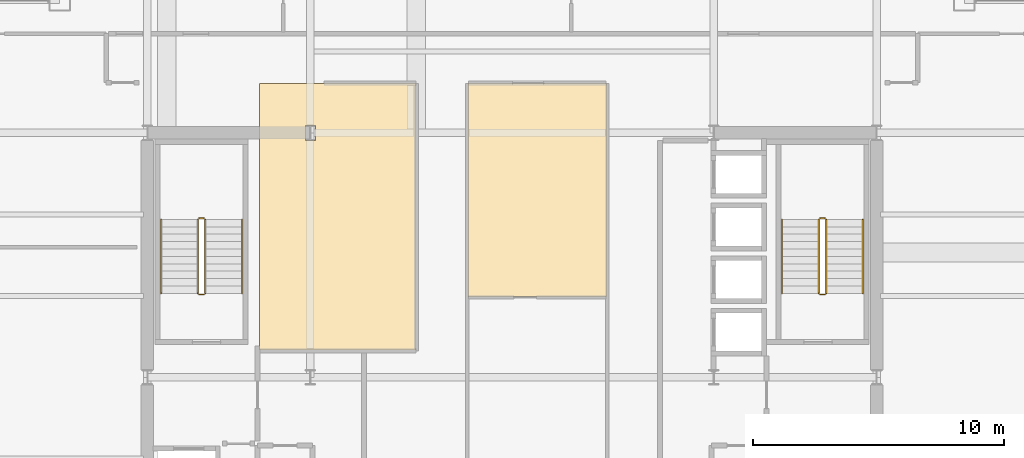
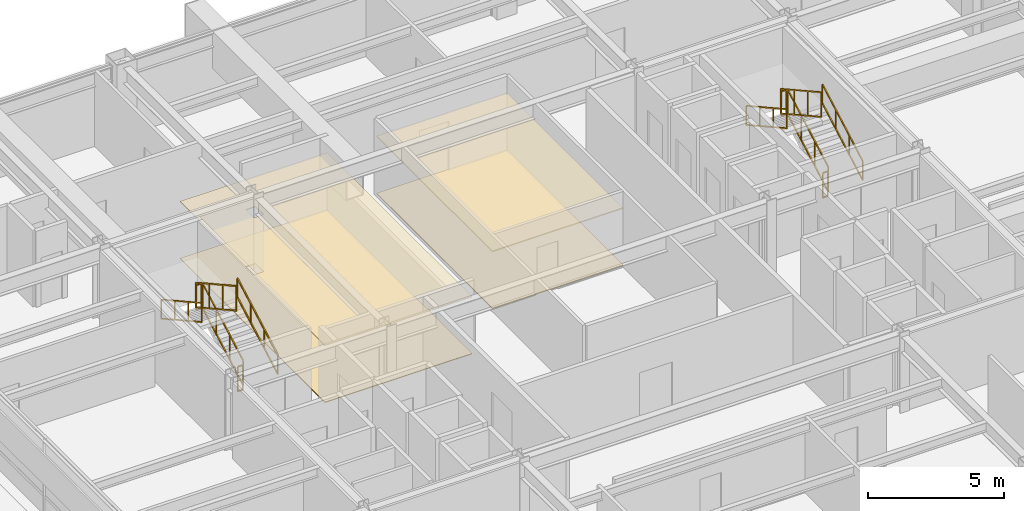
# One storey, part 34 of 34: 12 railings, 4 coverings.
"""IFC4 building model written with IfcOpenShell, lengths in metres."""

from ifc_helpers import new_model, si_unit, direction, frame, origin, origin_2d, place, context, subcontext, project, spatial, polyline, rectangle, outline, extrude, material, layer, layer_set, type_object, element, save


model = new_model("IFC4")

# Units and contexts
model_context = context("Model", 3, precision=1e-05, world=origin(), true_north=direction((0.0, 1.0)))
body_context = subcontext(model_context, "Body", "Model", "MODEL_VIEW")
ifc_project = project(units=[si_unit("LENGTHUNIT", "METRE"), si_unit("AREAUNIT", "SQUARE_METRE"), si_unit("VOLUMEUNIT", "CUBIC_METRE"), si_unit("PLANEANGLEUNIT", "RADIAN"), si_unit("MASSUNIT", "GRAM", prefix="KILO")], contexts=[model_context])

# Site, building, storey
site_placement = place(None, origin())
site = spatial("IfcSite", under=ifc_project, at=site_placement, CompositionType="ELEMENT")
building_placement = place(site_placement, origin())
building = spatial("IfcBuilding", under=site, at=building_placement, Name="Brelmoor Portico Tower", CompositionType="ELEMENT")
storey_placement = place(building_placement, frame((0.0, 0.0, 117.0)))
storey = spatial("IfcBuildingStorey", under=building, at=storey_placement, Name="L30", CompositionType="ELEMENT", Elevation=117.0)

# Coverings
ifc_material_1 = material(Name="Powder-Coated Aluminium Acoustic Baffle Ceiling", Category="aluminium")
ifc_layer_1 = layer(ifc_material_1, 0.044921875)
ifc_layer_set_1 = layer_set([ifc_layer_1], Name="Powder-Coated Aluminium Acoustic Baffle Ceiling")
covering_type_1 = type_object("IfcCoveringType", Name="CV-CEIL-BAFFLE-45", PredefinedType="CEILING", material=ifc_layer_set_1)
covering_1_placement = place(storey_placement, frame((0.0, 0.0, 2.550048828125)))
element("IfcCovering", 1, at=covering_1_placement, inside=storey, type_object=covering_type_1, Name="L30 Acoustic Suspended Ceiling 02", PredefinedType="CEILING", context=body_context, shape_type="SweptSolid", body=[
    extrude(outline(polyline([(-1.760009765625, 3.219970703125), (-1.760009765625, 11.719970703125), (3.780029296875, 11.719970703125), (3.780029296875, 3.219970703125), (-1.760009765625, 3.219970703125)])), origin(), (0.0, 0.0, 1.0), 0.044921875),
])
ifc_material_2 = material(Name="Micro-Perforated Aluminium Clip-In Ceiling", Category="aluminium")
ifc_layer_2 = layer(ifc_material_2, 0.031982421875)
ifc_layer_set_2 = layer_set([ifc_layer_2], Name="Micro-Perforated Aluminium Clip-In Ceiling")
covering_type_2 = type_object("IfcCoveringType", Name="CV-CEIL-METAL-32", PredefinedType="CEILING", material=ifc_layer_set_2)
covering_2_placement = place(storey_placement, frame((0.0, 0.0, 2.550048828125)))
element("IfcCovering", 2, at=covering_2_placement, inside=storey, type_object=covering_type_2, Name="L30 Acoustic Suspended Ceiling 01", PredefinedType="CEILING", context=body_context, shape_type="SweptSolid", body=[
    extrude(outline(polyline([(-10.080078125, 11.719970703125), (-3.840087890625, 11.719970703125), (-3.840087890625, 1.090087890625), (-10.080078125, 1.090087890625), (-10.080078125, 11.719970703125)]), holes=[polyline([(-7.85009765625, 9.449951171875), (-7.85009765625, 10.050048828125), (-8.25, 10.050048828125), (-8.25, 9.449951171875), (-7.85009765625, 9.449951171875)])]), origin(), (0.0, 0.0, 1.0), 0.031982421875),
])
ifc_material_3 = material(Name="Honed Pearl-Grey Granite Paver Finish", Category="masonry")
ifc_layer_3 = layer(ifc_material_3, 0.0380859375)
ifc_layer_set_3 = layer_set([ifc_layer_3], Name="Honed Pearl-Grey Granite Paver Finish")
covering_type_3 = type_object("IfcCoveringType", Name="CV-FLR-GRANITE-38", PredefinedType="FLOORING", material=ifc_layer_set_3)
covering_3_placement = place(storey_placement, origin())
element("IfcCovering", 3, at=covering_3_placement, inside=storey, type_object=covering_type_3, Name="L30 Architectural Floor Finish 02", PredefinedType="FLOORING", context=body_context, shape_type="SweptSolid", body=[
    extrude(outline(polyline([(-1.760009765625, 3.219970703125), (-1.760009765625, 11.719970703125), (3.780029296875, 11.719970703125), (3.780029296875, 3.219970703125), (-1.760009765625, 3.219970703125)])), origin(), (0.0, 0.0, 1.0), 0.0380859375),
])
ifc_material_4 = material(Name="Polished Pale-Aggregate Cementitious Terrazzo", Category="stone")
ifc_layer_4 = layer(ifc_material_4, 0.030029296875)
ifc_layer_set_4 = layer_set([ifc_layer_4], Name="Polished Pale-Aggregate Cementitious Terrazzo")
covering_type_4 = type_object("IfcCoveringType", Name="CV-FLR-TERRAZZO-30", PredefinedType="FLOORING", material=ifc_layer_set_4)
covering_4_placement = place(storey_placement, origin())
element("IfcCovering", 4, at=covering_4_placement, inside=storey, type_object=covering_type_4, Name="L30 Architectural Floor Finish 01", PredefinedType="FLOORING", context=body_context, shape_type="SweptSolid", body=[
    extrude(outline(polyline([(-10.080078125, 11.719970703125), (-3.840087890625, 11.719970703125), (-3.840087890625, 1.090087890625), (-10.080078125, 1.090087890625), (-10.080078125, 11.719970703125)]), holes=[polyline([(-7.85009765625, 9.449951171875), (-7.85009765625, 10.050048828125), (-8.25, 10.050048828125), (-8.25, 9.449951171875), (-7.85009765625, 9.449951171875)])]), origin(), (0.0, 0.0, 1.0), 0.030029296875),
])

# Railings
ifc_material_5 = material(Name="Painted Tubular Steel Q235B", Category="steel")
railing_type_1 = type_object("IfcRailingType", Name="RL-STAIR-GUARD", PredefinedType="GUARDRAIL", material=ifc_material_5)
railing_1_placement = place(storey_placement, frame((-12.239990234375, 3.35009765625, 0.16357421875)))
element("IfcRailing", 5, at=railing_1_placement, inside=storey, type_object=railing_type_1, Name="L30 ST-W stair guard 1", PredefinedType="GUARDRAIL", context=body_context, shape_type="SweptSolid", body=[
    extrude(rectangle(XDim=0.048095703125, YDim=0.048095703125, at=origin_2d()), frame((0.0, 0.0, 1.1259765625), z_axis=(0.0, 0.874457516365, 0.485102104791), x_axis=(-1.0, 0.0, 0.0)), (0.0, 0.0, 1.0), 3.37353515625),
    extrude(rectangle(XDim=0.048095703125, YDim=0.048095703125, at=origin_2d()), frame((0.0, 0.0, 0.02392578125), z_axis=(0.0, 0.874457516365, 0.485102104791), x_axis=(-1.0, 0.0, 0.0)), (0.0, 0.0, 1.0), 3.37353515625),
    extrude(rectangle(XDim=0.0419921875, YDim=0.0419921875, at=origin_2d()), origin(), (0.0, 0.0, 1.0), 1.101806640625),
    extrude(rectangle(XDim=0.0419921875, YDim=0.0419921875, at=origin_2d()), frame((0.0, 0.9833984375, 0.54541015625)), (0.0, 0.0, 1.0), 1.101806640625),
    extrude(rectangle(XDim=0.0419921875, YDim=0.0419921875, at=origin_2d()), frame((0.0, 1.966552734375, 1.091064453125)), (0.0, 0.0, 1.0), 1.101806640625),
    extrude(rectangle(XDim=0.0419921875, YDim=0.0419921875, at=origin_2d()), frame((0.0, 2.949951171875, 1.636474609375)), (0.0, 0.0, 1.0), 1.101806640625),
])
railing_2_placement = place(storey_placement, frame((-12.2900390625, 6.35009765625, 1.800048828125)))
element("IfcRailing", 6, at=railing_2_placement, inside=storey, type_object=railing_type_1, Name="L30 ST-W stair guard 2", PredefinedType="GUARDRAIL", context=body_context, shape_type="SweptSolid", body=[
    extrude(rectangle(XDim=0.048095703125, YDim=0.048095703125, at=origin_2d()), frame((0.0, 0.0, 1.1259765625), z_axis=(-1.0, 0.0, 0.0), x_axis=(0.0, -1.0, 0.0)), (0.0, 0.0, 1.0), 0.199951171875),
    extrude(rectangle(XDim=0.048095703125, YDim=0.048095703125, at=origin_2d()), frame((0.0, 0.0, 0.02392578125), z_axis=(-1.0, 0.0, 0.0), x_axis=(0.0, -1.0, 0.0)), (0.0, 0.0, 1.0), 0.199951171875),
    extrude(rectangle(XDim=0.0419921875, YDim=0.0419921875, at=origin_2d()), origin(), (0.0, 0.0, 1.0), 1.101806640625),
    extrude(rectangle(XDim=0.0419921875, YDim=0.0419921875, at=origin_2d()), frame((-0.199951171875, 0.0, 0.0)), (0.0, 0.0, 1.0), 1.101806640625),
])
railing_3_placement = place(storey_placement, frame((-12.5400390625, 6.300048828125, 1.963623046875)))
element("IfcRailing", 7, at=railing_3_placement, inside=storey, type_object=railing_type_1, Name="L30 ST-W stair guard 3", PredefinedType="GUARDRAIL", context=body_context, shape_type="SweptSolid", body=[
    extrude(rectangle(XDim=0.048095703125, YDim=0.048095703125, at=origin_2d()), frame((0.0, 0.0, 1.1259765625), z_axis=(0.0, -0.874457516365, 0.485102104791), x_axis=(1.0, 0.0, 0.0)), (0.0, 0.0, 1.0), 3.37353515625),
    extrude(rectangle(XDim=0.048095703125, YDim=0.048095703125, at=origin_2d()), frame((0.0, 0.0, 0.02392578125), z_axis=(0.0, -0.874457516365, 0.485102104791), x_axis=(1.0, 0.0, 0.0)), (0.0, 0.0, 1.0), 3.37353515625),
    extrude(rectangle(XDim=0.0419921875, YDim=0.0419921875, at=origin_2d()), origin(), (0.0, 0.0, 1.0), 1.101806640625),
    extrude(rectangle(XDim=0.0419921875, YDim=0.0419921875, at=origin_2d()), frame((0.0, -0.9833984375, 0.54541015625)), (0.0, 0.0, 1.0), 1.101806640625),
    extrude(rectangle(XDim=0.0419921875, YDim=0.0419921875, at=origin_2d()), frame((0.0, -1.966552734375, 1.091064453125)), (0.0, 0.0, 1.0), 1.101806640625),
    extrude(rectangle(XDim=0.0419921875, YDim=0.0419921875, at=origin_2d()), frame((0.0, -2.949951171875, 1.636474609375)), (0.0, 0.0, 1.0), 1.101806640625),
])
railing_4_placement = place(storey_placement, frame((-12.2900390625, 3.300048828125, 0.0)))
element("IfcRailing", 8, at=railing_4_placement, inside=storey, type_object=railing_type_1, Name="L30 ST-W stair guard 4", PredefinedType="GUARDRAIL", context=body_context, shape_type="SweptSolid", body=[
    extrude(rectangle(XDim=0.048095703125, YDim=0.048095703125, at=origin_2d()), frame((0.0, 0.0, 1.1259765625), z_axis=(-1.0, 0.0, 0.0), x_axis=(0.0, -1.0, 0.0)), (0.0, 0.0, 1.0), 0.199951171875),
    extrude(rectangle(XDim=0.048095703125, YDim=0.048095703125, at=origin_2d()), frame((0.0, 0.0, 0.02392578125), z_axis=(-1.0, 0.0, 0.0), x_axis=(0.0, -1.0, 0.0)), (0.0, 0.0, 1.0), 0.199951171875),
    extrude(rectangle(XDim=0.0419921875, YDim=0.0419921875, at=origin_2d()), origin(), (0.0, 0.0, 1.0), 1.101806640625),
    extrude(rectangle(XDim=0.0419921875, YDim=0.0419921875, at=origin_2d()), frame((-0.199951171875, 0.0, 0.0)), (0.0, 0.0, 1.0), 1.101806640625),
])
railing_5_placement = place(storey_placement, frame((12.5400390625, 3.35009765625, 0.16357421875)))
element("IfcRailing", 9, at=railing_5_placement, inside=storey, type_object=railing_type_1, Name="L30 ST-E stair guard 1", PredefinedType="GUARDRAIL", context=body_context, shape_type="SweptSolid", body=[
    extrude(rectangle(XDim=0.048095703125, YDim=0.048095703125, at=origin_2d()), frame((0.0, 0.0, 1.1259765625), z_axis=(0.0, 0.874457516365, 0.485102104791), x_axis=(-1.0, 0.0, 0.0)), (0.0, 0.0, 1.0), 3.37353515625),
    extrude(rectangle(XDim=0.048095703125, YDim=0.048095703125, at=origin_2d()), frame((0.0, 0.0, 0.02392578125), z_axis=(0.0, 0.874457516365, 0.485102104791), x_axis=(-1.0, 0.0, 0.0)), (0.0, 0.0, 1.0), 3.37353515625),
    extrude(rectangle(XDim=0.0419921875, YDim=0.0419921875, at=origin_2d()), origin(), (0.0, 0.0, 1.0), 1.101806640625),
    extrude(rectangle(XDim=0.0419921875, YDim=0.0419921875, at=origin_2d()), frame((0.0, 0.9833984375, 0.54541015625)), (0.0, 0.0, 1.0), 1.101806640625),
    extrude(rectangle(XDim=0.0419921875, YDim=0.0419921875, at=origin_2d()), frame((0.0, 1.966552734375, 1.091064453125)), (0.0, 0.0, 1.0), 1.101806640625),
    extrude(rectangle(XDim=0.0419921875, YDim=0.0419921875, at=origin_2d()), frame((0.0, 2.949951171875, 1.636474609375)), (0.0, 0.0, 1.0), 1.101806640625),
])
railing_6_placement = place(storey_placement, frame((12.489990234375, 6.35009765625, 1.800048828125)))
element("IfcRailing", 10, at=railing_6_placement, inside=storey, type_object=railing_type_1, Name="L30 ST-E stair guard 2", PredefinedType="GUARDRAIL", context=body_context, shape_type="SweptSolid", body=[
    extrude(rectangle(XDim=0.048095703125, YDim=0.048095703125, at=origin_2d()), frame((0.0, 0.0, 1.1259765625), z_axis=(-1.0, 0.0, 0.0), x_axis=(0.0, -1.0, 0.0)), (0.0, 0.0, 1.0), 0.199951171875),
    extrude(rectangle(XDim=0.048095703125, YDim=0.048095703125, at=origin_2d()), frame((0.0, 0.0, 0.02392578125), z_axis=(-1.0, 0.0, 0.0), x_axis=(0.0, -1.0, 0.0)), (0.0, 0.0, 1.0), 0.199951171875),
    extrude(rectangle(XDim=0.0419921875, YDim=0.0419921875, at=origin_2d()), origin(), (0.0, 0.0, 1.0), 1.101806640625),
    extrude(rectangle(XDim=0.0419921875, YDim=0.0419921875, at=origin_2d()), frame((-0.199951171875, 0.0, 0.0)), (0.0, 0.0, 1.0), 1.101806640625),
])
railing_7_placement = place(storey_placement, frame((12.239990234375, 6.300048828125, 1.963623046875)))
element("IfcRailing", 11, at=railing_7_placement, inside=storey, type_object=railing_type_1, Name="L30 ST-E stair guard 3", PredefinedType="GUARDRAIL", context=body_context, shape_type="SweptSolid", body=[
    extrude(rectangle(XDim=0.048095703125, YDim=0.048095703125, at=origin_2d()), frame((0.0, 0.0, 1.1259765625), z_axis=(0.0, -0.874457516365, 0.485102104791), x_axis=(1.0, 0.0, 0.0)), (0.0, 0.0, 1.0), 3.37353515625),
    extrude(rectangle(XDim=0.048095703125, YDim=0.048095703125, at=origin_2d()), frame((0.0, 0.0, 0.02392578125), z_axis=(0.0, -0.874457516365, 0.485102104791), x_axis=(1.0, 0.0, 0.0)), (0.0, 0.0, 1.0), 3.37353515625),
    extrude(rectangle(XDim=0.0419921875, YDim=0.0419921875, at=origin_2d()), origin(), (0.0, 0.0, 1.0), 1.101806640625),
    extrude(rectangle(XDim=0.0419921875, YDim=0.0419921875, at=origin_2d()), frame((0.0, -0.9833984375, 0.54541015625)), (0.0, 0.0, 1.0), 1.101806640625),
    extrude(rectangle(XDim=0.0419921875, YDim=0.0419921875, at=origin_2d()), frame((0.0, -1.966552734375, 1.091064453125)), (0.0, 0.0, 1.0), 1.101806640625),
    extrude(rectangle(XDim=0.0419921875, YDim=0.0419921875, at=origin_2d()), frame((0.0, -2.949951171875, 1.636474609375)), (0.0, 0.0, 1.0), 1.101806640625),
])
railing_8_placement = place(storey_placement, frame((12.489990234375, 3.300048828125, 0.0)))
element("IfcRailing", 12, at=railing_8_placement, inside=storey, type_object=railing_type_1, Name="L30 ST-E stair guard 4", PredefinedType="GUARDRAIL", context=body_context, shape_type="SweptSolid", body=[
    extrude(rectangle(XDim=0.048095703125, YDim=0.048095703125, at=origin_2d()), frame((0.0, 0.0, 1.1259765625), z_axis=(-1.0, 0.0, 0.0), x_axis=(0.0, -1.0, 0.0)), (0.0, 0.0, 1.0), 0.199951171875),
    extrude(rectangle(XDim=0.048095703125, YDim=0.048095703125, at=origin_2d()), frame((0.0, 0.0, 0.02392578125), z_axis=(-1.0, 0.0, 0.0), x_axis=(0.0, -1.0, 0.0)), (0.0, 0.0, 1.0), 0.199951171875),
    extrude(rectangle(XDim=0.0419921875, YDim=0.0419921875, at=origin_2d()), origin(), (0.0, 0.0, 1.0), 1.101806640625),
    extrude(rectangle(XDim=0.0419921875, YDim=0.0419921875, at=origin_2d()), frame((-0.199951171875, 0.0, 0.0)), (0.0, 0.0, 1.0), 1.101806640625),
])
ifc_material_6 = material(Name="Brushed Stainless Steel 304", Category="steel")
railing_type_2 = type_object("IfcRailingType", Name="RL-STAIR-HANDRAIL", PredefinedType="HANDRAIL", material=ifc_material_6)
railing_9_placement = place(storey_placement, frame((-10.780029296875, 3.35009765625, 0.16357421875)))
element("IfcRailing", 13, at=railing_9_placement, inside=storey, type_object=railing_type_2, Name="L30 ST-W stair handrail 1", PredefinedType="HANDRAIL", context=body_context, shape_type="SweptSolid", body=[
    extrude(rectangle(XDim=0.048095703125, YDim=0.048095703125, at=origin_2d()), frame((0.0, 0.0, 0.8759765625), z_axis=(0.0, 0.874457516365, 0.485102104791), x_axis=(-1.0, 0.0, 0.0)), (0.0, 0.0, 1.0), 3.37353515625),
    extrude(rectangle(XDim=0.048095703125, YDim=0.048095703125, at=origin_2d()), frame((0.0, 0.0, 0.02392578125), z_axis=(0.0, 0.874457516365, 0.485102104791), x_axis=(-1.0, 0.0, 0.0)), (0.0, 0.0, 1.0), 3.37353515625),
    extrude(rectangle(XDim=0.0419921875, YDim=0.0419921875, at=origin_2d()), origin(), (0.0, 0.0, 1.0), 0.851806640625),
    extrude(rectangle(XDim=0.0419921875, YDim=0.0419921875, at=origin_2d()), frame((0.0, 0.9833984375, 0.54541015625)), (0.0, 0.0, 1.0), 0.851806640625),
    extrude(rectangle(XDim=0.0419921875, YDim=0.0419921875, at=origin_2d()), frame((0.0, 1.966552734375, 1.091064453125)), (0.0, 0.0, 1.0), 0.851806640625),
    extrude(rectangle(XDim=0.0419921875, YDim=0.0419921875, at=origin_2d()), frame((0.0, 2.949951171875, 1.636474609375)), (0.0, 0.0, 1.0), 0.851806640625),
])
railing_10_placement = place(storey_placement, frame((-14.0, 6.300048828125, 1.963623046875)))
element("IfcRailing", 14, at=railing_10_placement, inside=storey, type_object=railing_type_2, Name="L30 ST-W stair handrail 2", PredefinedType="HANDRAIL", context=body_context, shape_type="SweptSolid", body=[
    extrude(rectangle(XDim=0.048095703125, YDim=0.048095703125, at=origin_2d()), frame((0.0, 0.0, 0.8759765625), z_axis=(0.0, -0.874457516365, 0.485102104791), x_axis=(1.0, 0.0, 0.0)), (0.0, 0.0, 1.0), 3.37353515625),
    extrude(rectangle(XDim=0.048095703125, YDim=0.048095703125, at=origin_2d()), frame((0.0, 0.0, 0.02392578125), z_axis=(0.0, -0.874457516365, 0.485102104791), x_axis=(1.0, 0.0, 0.0)), (0.0, 0.0, 1.0), 3.37353515625),
    extrude(rectangle(XDim=0.0419921875, YDim=0.0419921875, at=origin_2d()), origin(), (0.0, 0.0, 1.0), 0.851806640625),
    extrude(rectangle(XDim=0.0419921875, YDim=0.0419921875, at=origin_2d()), frame((0.0, -0.9833984375, 0.54541015625)), (0.0, 0.0, 1.0), 0.851806640625),
    extrude(rectangle(XDim=0.0419921875, YDim=0.0419921875, at=origin_2d()), frame((0.0, -1.966552734375, 1.091064453125)), (0.0, 0.0, 1.0), 0.851806640625),
    extrude(rectangle(XDim=0.0419921875, YDim=0.0419921875, at=origin_2d()), frame((0.0, -2.949951171875, 1.636474609375)), (0.0, 0.0, 1.0), 0.851806640625),
])
railing_11_placement = place(storey_placement, frame((14.0, 3.35009765625, 0.16357421875)))
element("IfcRailing", 15, at=railing_11_placement, inside=storey, type_object=railing_type_2, Name="L30 ST-E stair handrail 1", PredefinedType="HANDRAIL", context=body_context, shape_type="SweptSolid", body=[
    extrude(rectangle(XDim=0.048095703125, YDim=0.048095703125, at=origin_2d()), frame((0.0, 0.0, 0.8759765625), z_axis=(0.0, 0.874457516365, 0.485102104791), x_axis=(-1.0, 0.0, 0.0)), (0.0, 0.0, 1.0), 3.37353515625),
    extrude(rectangle(XDim=0.048095703125, YDim=0.048095703125, at=origin_2d()), frame((0.0, 0.0, 0.02392578125), z_axis=(0.0, 0.874457516365, 0.485102104791), x_axis=(-1.0, 0.0, 0.0)), (0.0, 0.0, 1.0), 3.37353515625),
    extrude(rectangle(XDim=0.0419921875, YDim=0.0419921875, at=origin_2d()), origin(), (0.0, 0.0, 1.0), 0.851806640625),
    extrude(rectangle(XDim=0.0419921875, YDim=0.0419921875, at=origin_2d()), frame((0.0, 0.9833984375, 0.54541015625)), (0.0, 0.0, 1.0), 0.851806640625),
    extrude(rectangle(XDim=0.0419921875, YDim=0.0419921875, at=origin_2d()), frame((0.0, 1.966552734375, 1.091064453125)), (0.0, 0.0, 1.0), 0.851806640625),
    extrude(rectangle(XDim=0.0419921875, YDim=0.0419921875, at=origin_2d()), frame((0.0, 2.949951171875, 1.636474609375)), (0.0, 0.0, 1.0), 0.851806640625),
])
railing_12_placement = place(storey_placement, frame((10.780029296875, 6.300048828125, 1.963623046875)))
element("IfcRailing", 16, at=railing_12_placement, inside=storey, type_object=railing_type_2, Name="L30 ST-E stair handrail 2", PredefinedType="HANDRAIL", context=body_context, shape_type="SweptSolid", body=[
    extrude(rectangle(XDim=0.048095703125, YDim=0.048095703125, at=origin_2d()), frame((0.0, 0.0, 0.8759765625), z_axis=(0.0, -0.874457516365, 0.485102104791), x_axis=(1.0, 0.0, 0.0)), (0.0, 0.0, 1.0), 3.37353515625),
    extrude(rectangle(XDim=0.048095703125, YDim=0.048095703125, at=origin_2d()), frame((0.0, 0.0, 0.02392578125), z_axis=(0.0, -0.874457516365, 0.485102104791), x_axis=(1.0, 0.0, 0.0)), (0.0, 0.0, 1.0), 3.37353515625),
    extrude(rectangle(XDim=0.0419921875, YDim=0.0419921875, at=origin_2d()), origin(), (0.0, 0.0, 1.0), 0.851806640625),
    extrude(rectangle(XDim=0.0419921875, YDim=0.0419921875, at=origin_2d()), frame((0.0, -0.9833984375, 0.54541015625)), (0.0, 0.0, 1.0), 0.851806640625),
    extrude(rectangle(XDim=0.0419921875, YDim=0.0419921875, at=origin_2d()), frame((0.0, -1.966552734375, 1.091064453125)), (0.0, 0.0, 1.0), 0.851806640625),
    extrude(rectangle(XDim=0.0419921875, YDim=0.0419921875, at=origin_2d()), frame((0.0, -2.949951171875, 1.636474609375)), (0.0, 0.0, 1.0), 0.851806640625),
])

save(model, "model.ifc")
